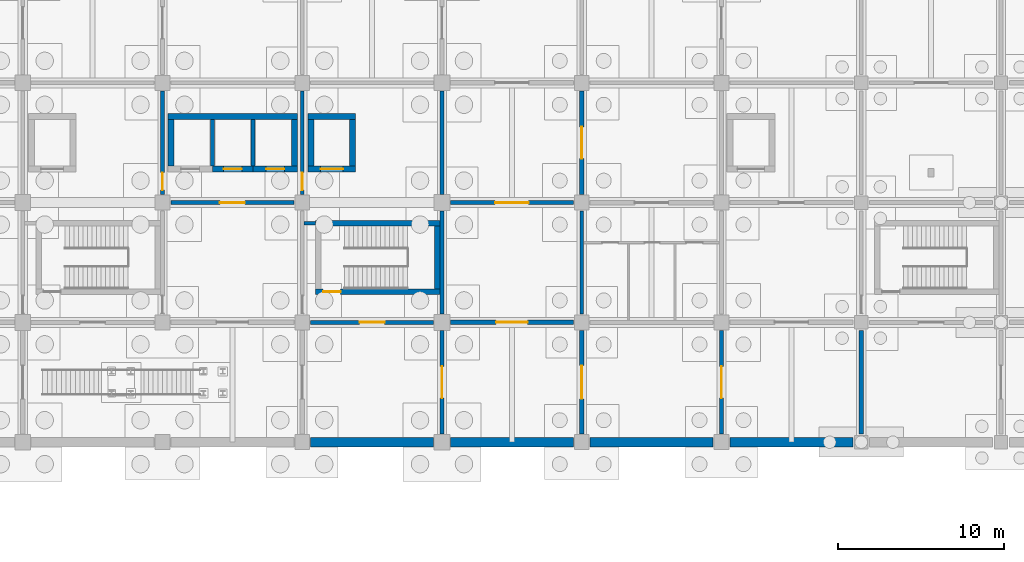
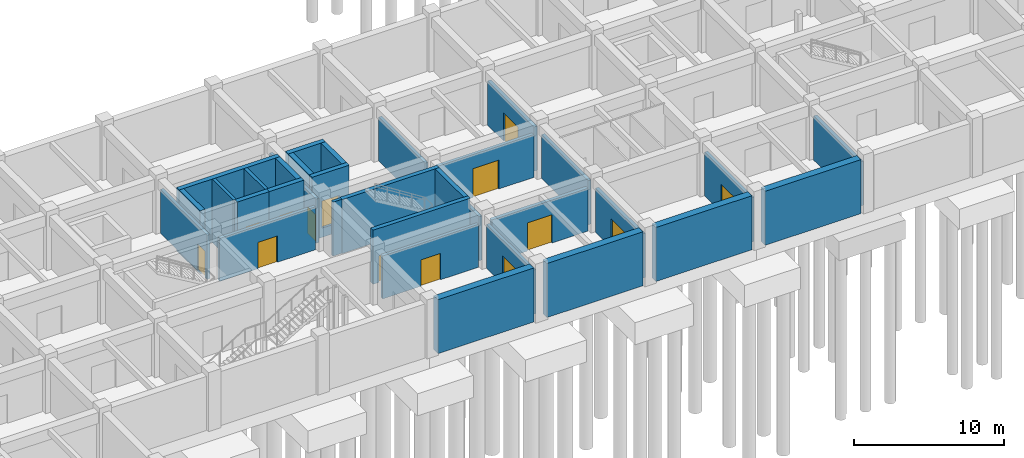
# One storey, part 29 of 38: 33 walls, 14 doors, 14 openings.
"""IFC4 building model written with IfcOpenShell, lengths in metres."""

from ifc_helpers import new_model, si_unit, derived_unit, direction, frame, frame_2d, origin, place, context, subcontext, project, spatial, rectangle, extrude, material, layer, layer_set, type_object, element, fill, save


model = new_model("IFC4")

# Units and contexts
model_context = context("Model", 3, precision=1e-05, world=origin(), true_north=direction((0.0, 1.0)))
body_context = subcontext(model_context, "Body", "Model", "MODEL_VIEW")
ifc_project = project(units=[si_unit("LENGTHUNIT", "METRE"), si_unit("AREAUNIT", "SQUARE_METRE"), si_unit("VOLUMEUNIT", "CUBIC_METRE"), si_unit("PLANEANGLEUNIT", "RADIAN"), si_unit("MASSUNIT", "GRAM", prefix="KILO"), derived_unit("THERMALTRANSMITTANCEUNIT", [(si_unit("MASSUNIT", "GRAM", prefix="KILO"), 1), (si_unit("TIMEUNIT", "SECOND"), -3), (si_unit("THERMODYNAMICTEMPERATUREUNIT", "KELVIN"), -1)])], contexts=[model_context])

# Site, building, storey
site_placement = place(None, origin())
site = spatial("IfcSite", under=ifc_project, at=site_placement, CompositionType="ELEMENT")
building_placement = place(site_placement, origin())
building = spatial("IfcBuilding", under=site, at=building_placement, Name="Veldstrom Oceanarium and Marine Research Institute", CompositionType="ELEMENT")
storey_placement = place(building_placement, frame((0.0, 0.0, -9.60009765625)))
storey = spatial("IfcBuildingStorey", under=building, at=storey_placement, Name="B02", CompositionType="ELEMENT", Elevation=-9.60009765625)

# Wall, opening, door
ifc_material_1 = material(Name="Masonry Fire Compartment Wall", Category="masonry")
ifc_layer_1 = layer(ifc_material_1, 0.22998046875)
ifc_layer_set_1 = layer_set([ifc_layer_1], Name="ARC-WAL-PT1")
wall_type_1 = type_object("IfcWallType", Name="ARC-WAL-PT1", PredefinedType="PARTITIONING", material=ifc_layer_set_1)
wall_1_placement = place(storey_placement, frame((84.0, 58.10009765625, 0.0), z_axis=(0.0, 0.0, 1.0), x_axis=(0.0, 1.0, 0.0)))
wall_1 = element("IfcWall", 1, at=wall_1_placement, inside=storey, type_object=wall_type_1, Name="Interior Partition PT1 B02-0158", PredefinedType="PARTITIONING", context=body_context, shape_type="SweptSolid", body=[
    extrude(rectangle(XDim=6.199951171875, YDim=0.22998046875, at=frame_2d((3.10009765625, 0.0))), origin(), (0.0, 0.0, 1.0), 3.59521484375),
])
opening_1_placement = place(wall_1_placement, frame((0.25, 0.0, 0.0)))
opening_1 = element("IfcOpeningElement", 2, at=opening_1_placement, cuts=wall_1, Name="Opening D-B02-093", PredefinedType="OPENING", context=body_context, shape_type="SweptSolid", body=[
    extrude(rectangle(XDim=1.050048828125, YDim=2.14990234375, at=frame_2d((0.52490234375, 1.074951171875))), frame((0.0, 0.125, 0.0), z_axis=(0.0, -1.0, 0.0), x_axis=(1.0, 0.0, 0.0)), (0.0, 0.0, 1.0), 0.25),
])
ifc_material_2 = material(Name="Painted Steel Fire Door", Category="steel")
door_type_1 = type_object("IfcDoorType", Name="ARC-DOR-SD1", OperationType="SINGLE_SWING_LEFT", PredefinedType="DOOR", material=ifc_material_2)
door_1_placement = place(opening_1_placement, origin())
door_1 = element("IfcDoor", 3, at=door_1_placement, inside=storey, type_object=door_type_1, Name="Interior Door D-B02-093", OperationType="SINGLE_SWING_LEFT", OverallHeight=2.14990234375, OverallWidth=1.050048828125, PredefinedType="DOOR", context=body_context, shape_type="SweptSolid", body=[
    extrude(rectangle(XDim=1.050048828125, YDim=2.14990234375, at=frame_2d((0.52490234375, 1.074951171875))), frame((0.0, 0.02490234375, 0.0), z_axis=(0.0, -1.0, 0.0), x_axis=(1.0, 0.0, 0.0)), (0.0, 0.0, 1.0), 0.050048828125),
])
fill(opening_1, door_1)

wall_2_placement = place(storey_placement, frame((84.5, 57.60009765625, 0.0), z_axis=(0.0, 0.0, 1.0), x_axis=(1.0, 0.0, 0.0)))
wall_2 = element("IfcWall", 4, at=wall_2_placement, inside=storey, type_object=wall_type_1, Name="Interior Partition PT1 B02-0164", PredefinedType="PARTITIONING", context=body_context, shape_type="SweptSolid", body=[
    extrude(rectangle(XDim=7.39990234375, YDim=0.22998046875, at=frame_2d((3.699951171875, 0.0))), origin(), (0.0, 0.0, 1.0), 3.4951171875),
])
opening_2_placement = place(wall_2_placement, frame((2.949951171875, 0.0, 0.0)))
opening_2 = element("IfcOpeningElement", 5, at=opening_2_placement, cuts=wall_2, Name="Opening D-B02-098", PredefinedType="OPENING", context=body_context, shape_type="SweptSolid", body=[
    extrude(rectangle(XDim=1.5, YDim=2.14990234375, at=frame_2d((0.75, 1.074951171875))), frame((0.0, 0.125, 0.0), z_axis=(0.0, -1.0, 0.0), x_axis=(1.0, 0.0, 0.0)), (0.0, 0.0, 1.0), 0.25),
])
ifc_material_3 = material(Name="Painted Steel Lobby Fire Door", Category="steel")
door_type_2 = type_object("IfcDoorType", Name="ARC-DOR-SD2", OperationType="DOUBLE_DOOR_SINGLE_SWING", PredefinedType="DOOR", material=ifc_material_3)
door_2_placement = place(opening_2_placement, origin())
door_2 = element("IfcDoor", 6, at=door_2_placement, inside=storey, type_object=door_type_2, Name="Interior Door D-B02-098", OperationType="DOUBLE_DOOR_SINGLE_SWING", OverallHeight=2.14990234375, OverallWidth=1.5, PredefinedType="DOOR", context=body_context, shape_type="SweptSolid", body=[
    extrude(rectangle(XDim=1.5, YDim=2.14990234375, at=frame_2d((0.75, 1.074951171875))), frame((0.0, 0.02490234375, 0.0), z_axis=(0.0, -1.0, 0.0), x_axis=(1.0, 0.0, 0.0)), (0.0, 0.0, 1.0), 0.050048828125),
])
fill(opening_2, door_2)

wall_3_placement = place(storey_placement, frame((92.39990234375, 58.10009765625, 0.0), z_axis=(0.0, 0.0, 1.0), x_axis=(0.0, 1.0, 0.0)))
wall_3 = element("IfcWall", 7, at=wall_3_placement, inside=storey, type_object=wall_type_1, Name="Interior Partition PT1 B02-0165", PredefinedType="PARTITIONING", context=body_context, shape_type="SweptSolid", body=[
    extrude(rectangle(XDim=6.199951171875, YDim=0.22998046875, at=frame_2d((3.10009765625, 0.0))), origin(), (0.0, 0.0, 1.0), 3.59521484375),
])
opening_3_placement = place(wall_3_placement, frame((0.25, 0.0, 0.0)))
opening_3 = element("IfcOpeningElement", 8, at=opening_3_placement, cuts=wall_3, Name="Opening D-B02-099", PredefinedType="OPENING", context=body_context, shape_type="SweptSolid", body=[
    extrude(rectangle(XDim=1.050048828125, YDim=2.14990234375, at=frame_2d((0.52490234375, 1.074951171875))), frame((0.0, 0.125, 0.0), z_axis=(0.0, -1.0, 0.0), x_axis=(1.0, 0.0, 0.0)), (0.0, 0.0, 1.0), 0.25),
])
door_3_placement = place(opening_3_placement, frame((1.050048828125, 0.0, 0.0), z_axis=(0.0, 0.0, 1.0), x_axis=(-1.0, 0.0, 0.0)))
door_3 = element("IfcDoor", 9, at=door_3_placement, inside=storey, type_object=door_type_1, Name="Interior Door D-B02-099", OperationType="SINGLE_SWING_RIGHT", OverallHeight=2.14990234375, OverallWidth=1.050048828125, PredefinedType="DOOR", context=body_context, shape_type="SweptSolid", body=[
    extrude(rectangle(XDim=1.050048828125, YDim=2.14990234375, at=frame_2d((0.52490234375, 1.074951171875))), frame((0.0, 0.02490234375, 0.0), z_axis=(0.0, -1.0, 0.0), x_axis=(1.0, 0.0, 0.0)), (0.0, 0.0, 1.0), 0.050048828125),
])
fill(opening_3, door_3)

wall_4_placement = place(storey_placement, frame((100.800048828125, 43.699951171875, 0.0), z_axis=(0.0, 0.0, 1.0), x_axis=(0.0, 1.0, 0.0)))
wall_4 = element("IfcWall", 10, at=wall_4_placement, inside=storey, type_object=wall_type_1, Name="Interior Partition PT1 B02-0168", PredefinedType="PARTITIONING", context=body_context, shape_type="SweptSolid", body=[
    extrude(rectangle(XDim=6.199951171875, YDim=0.22998046875, at=frame_2d((3.10009765625, 0.0))), origin(), (0.0, 0.0, 1.0), 3.59521484375),
])
opening_4_placement = place(wall_4_placement, frame((2.14990234375, 0.0, 0.0)))
opening_4 = element("IfcOpeningElement", 11, at=opening_4_placement, cuts=wall_4, Name="Opening D-B02-100", PredefinedType="OPENING", context=body_context, shape_type="SweptSolid", body=[
    extrude(rectangle(XDim=1.89990234375, YDim=2.300048828125, at=frame_2d((0.949951171875, 1.14990234375))), frame((0.0, 0.125, 0.0), z_axis=(0.0, -1.0, 0.0), x_axis=(1.0, 0.0, 0.0)), (0.0, 0.0, 1.0), 0.25),
])
ifc_material_4 = material(Name="Plant Hall Equipment Door", Category="steel")
door_type_3 = type_object("IfcDoorType", Name="ARC-DOR-ID12", OperationType="DOUBLE_DOOR_SINGLE_SWING", PredefinedType="DOOR", material=ifc_material_4)
door_4_placement = place(opening_4_placement, origin())
door_4 = element("IfcDoor", 12, at=door_4_placement, inside=storey, type_object=door_type_3, Name="Interior Door D-B02-100", OperationType="DOUBLE_DOOR_SINGLE_SWING", OverallHeight=2.300048828125, OverallWidth=1.89990234375, PredefinedType="DOOR", context=body_context, shape_type="SweptSolid", body=[
    extrude(rectangle(XDim=1.89990234375, YDim=2.300048828125, at=frame_2d((0.949951171875, 1.14990234375))), frame((0.0, 0.02490234375, 0.0), z_axis=(0.0, -1.0, 0.0), x_axis=(1.0, 0.0, 0.0)), (0.0, 0.0, 1.0), 0.050048828125),
])
fill(opening_4, door_4)

wall_5_placement = place(storey_placement, frame((92.89990234375, 50.39990234375, 0.0), z_axis=(0.0, 0.0, 1.0), x_axis=(1.0, 0.0, 0.0)))
wall_5 = element("IfcWall", 13, at=wall_5_placement, inside=storey, type_object=wall_type_1, Name="Interior Partition PT1 B02-0169", PredefinedType="PARTITIONING", context=body_context, shape_type="SweptSolid", body=[
    extrude(rectangle(XDim=7.400146484375, YDim=0.22998046875, at=frame_2d((3.7001953125, 0.0))), origin(), (0.0, 0.0, 1.0), 3.4951171875),
])
opening_5_placement = place(wall_5_placement, frame((2.949951171875, 0.0, 0.0)))
opening_5 = element("IfcOpeningElement", 14, at=opening_5_placement, cuts=wall_5, Name="Opening D-B02-101", PredefinedType="OPENING", context=body_context, shape_type="SweptSolid", body=[
    extrude(rectangle(XDim=1.5, YDim=2.14990234375, at=frame_2d((0.75, 1.074951171875))), frame((0.0, 0.125, 0.0), z_axis=(0.0, -1.0, 0.0), x_axis=(1.0, 0.0, 0.0)), (0.0, 0.0, 1.0), 0.25),
])
door_5_placement = place(opening_5_placement, frame((1.5, 0.0, 0.0), z_axis=(0.0, 0.0, 1.0), x_axis=(-1.0, 0.0, 0.0)))
door_5 = element("IfcDoor", 15, at=door_5_placement, inside=storey, type_object=door_type_2, Name="Interior Door D-B02-101", OperationType="DOUBLE_DOOR_SINGLE_SWING", OverallHeight=2.14990234375, OverallWidth=1.5, PredefinedType="DOOR", context=body_context, shape_type="SweptSolid", body=[
    extrude(rectangle(XDim=1.5, YDim=2.14990234375, at=frame_2d((0.75, 1.074951171875))), frame((0.0, 0.02490234375, 0.0), z_axis=(0.0, -1.0, 0.0), x_axis=(1.0, 0.0, 0.0)), (0.0, 0.0, 1.0), 0.050048828125),
])
fill(opening_5, door_5)

# Walls
wall_6_placement = place(storey_placement, frame((100.800048828125, 50.89990234375, 0.0), z_axis=(0.0, 0.0, 1.0), x_axis=(0.0, 1.0, 0.0)))
element("IfcWall", 16, at=wall_6_placement, inside=storey, type_object=wall_type_1, Name="Interior Partition PT1 B02-0170", PredefinedType="PARTITIONING", context=body_context, shape_type="SweptSolid", body=[
    extrude(rectangle(XDim=6.2001953125, YDim=0.22998046875, at=frame_2d((3.10009765625, 0.0))), origin(), (0.0, 0.0, 1.0), 3.59521484375),
])
wall_7_placement = place(storey_placement, frame((92.52001953125, 56.360107421875, 0.0), z_axis=(0.0, 0.0, 1.0), x_axis=(1.0, 0.0, 0.0)))
element("IfcWall", 17, at=wall_7_placement, inside=storey, type_object=wall_type_1, Name="Interior Partition PT1 B02-0171", PredefinedType="PARTITIONING", context=body_context, shape_type="SweptSolid", body=[
    extrude(rectangle(XDim=0.679931640625, YDim=0.22998046875, at=frame_2d((0.33984375, 0.0))), origin(), (0.0, 0.0, 1.0), 4.400146484375),
])
wall_8_placement = place(storey_placement, frame((100.800048828125, 58.10009765625, 0.0), z_axis=(0.0, 0.0, 1.0), x_axis=(0.0, 1.0, 0.0)))
element("IfcWall", 18, at=wall_8_placement, inside=storey, type_object=wall_type_1, Name="Interior Partition PT1 B02-0172", PredefinedType="PARTITIONING", context=body_context, shape_type="SweptSolid", body=[
    extrude(rectangle(XDim=6.199951171875, YDim=0.22998046875, at=frame_2d((3.10009765625, 0.0))), origin(), (0.0, 0.0, 1.0), 3.59521484375),
])
wall_9_placement = place(storey_placement, frame((109.199951171875, 50.89990234375, 0.0), z_axis=(0.0, 0.0, 1.0), x_axis=(0.0, 1.0, 0.0)))
element("IfcWall", 19, at=wall_9_placement, inside=storey, type_object=wall_type_1, Name="Interior Partition PT1 B02-0177", PredefinedType="PARTITIONING", context=body_context, shape_type="SweptSolid", body=[
    extrude(rectangle(XDim=6.2001953125, YDim=0.22998046875, at=frame_2d((3.10009765625, 0.0))), origin(), (0.0, 0.0, 1.0), 3.59521484375),
])

# Wall, opening, door
wall_10_placement = place(storey_placement, frame((101.300048828125, 57.60009765625, 0.0), z_axis=(0.0, 0.0, 1.0), x_axis=(1.0, 0.0, 0.0)))
wall_10 = element("IfcWall", 20, at=wall_10_placement, inside=storey, type_object=wall_type_1, Name="Interior Partition PT1 B02-0178", PredefinedType="PARTITIONING", context=body_context, shape_type="SweptSolid", body=[
    extrude(rectangle(XDim=7.39990234375, YDim=0.22998046875, at=frame_2d((3.699951171875, 0.0))), origin(), (0.0, 0.0, 1.0), 3.4951171875),
])
opening_6_placement = place(wall_10_placement, frame((2.699951171875, 0.0, 0.0)))
opening_6 = element("IfcOpeningElement", 21, at=opening_6_placement, cuts=wall_10, Name="Opening D-B02-105", PredefinedType="OPENING", context=body_context, shape_type="SweptSolid", body=[
    extrude(rectangle(XDim=2.0, YDim=2.35009765625, at=frame_2d((1.0, 1.175048828125))), frame((0.0, 0.125, 0.0), z_axis=(0.0, -1.0, 0.0), x_axis=(1.0, 0.0, 0.0)), (0.0, 0.0, 1.0), 0.25),
])
ifc_material_5 = material(Name="Filtration Hall Double Door", Category="steel")
door_type_4 = type_object("IfcDoorType", Name="ARC-DOR-ID18", OperationType="DOUBLE_DOOR_SINGLE_SWING", PredefinedType="DOOR", material=ifc_material_5)
door_6_placement = place(opening_6_placement, frame((2.0, 0.0, 0.0), z_axis=(0.0, 0.0, 1.0), x_axis=(-1.0, 0.0, 0.0)))
door_6 = element("IfcDoor", 22, at=door_6_placement, inside=storey, type_object=door_type_4, Name="Interior Door D-B02-105", OperationType="DOUBLE_DOOR_SINGLE_SWING", OverallHeight=2.35009765625, OverallWidth=2.0, PredefinedType="DOOR", context=body_context, shape_type="SweptSolid", body=[
    extrude(rectangle(XDim=2.0, YDim=2.35009765625, at=frame_2d((1.0, 1.175048828125))), frame((0.0, 0.02490234375, 0.0), z_axis=(0.0, -1.0, 0.0), x_axis=(1.0, 0.0, 0.0)), (0.0, 0.0, 1.0), 0.050048828125),
])
fill(opening_6, door_6)

wall_11_placement = place(storey_placement, frame((117.60009765625, 43.699951171875, 0.0), z_axis=(0.0, 0.0, 1.0), x_axis=(0.0, 1.0, 0.0)))
wall_11 = element("IfcWall", 23, at=wall_11_placement, inside=storey, type_object=wall_type_1, Name="Interior Partition PT1 B02-0182", PredefinedType="PARTITIONING", context=body_context, shape_type="SweptSolid", body=[
    extrude(rectangle(XDim=6.199951171875, YDim=0.22998046875, at=frame_2d((3.10009765625, 0.0))), origin(), (0.0, 0.0, 1.0), 3.59521484375),
])
opening_7_placement = place(wall_11_placement, frame((2.14990234375, 0.0, 0.0)))
opening_7 = element("IfcOpeningElement", 24, at=opening_7_placement, cuts=wall_11, Name="Opening D-B02-108", PredefinedType="OPENING", context=body_context, shape_type="SweptSolid", body=[
    extrude(rectangle(XDim=1.89990234375, YDim=2.300048828125, at=frame_2d((0.949951171875, 1.14990234375))), frame((0.0, 0.125, 0.0), z_axis=(0.0, -1.0, 0.0), x_axis=(1.0, 0.0, 0.0)), (0.0, 0.0, 1.0), 0.25),
])
door_7_placement = place(opening_7_placement, origin())
door_7 = element("IfcDoor", 25, at=door_7_placement, inside=storey, type_object=door_type_3, Name="Interior Door D-B02-108", OperationType="DOUBLE_DOOR_SINGLE_SWING", OverallHeight=2.300048828125, OverallWidth=1.89990234375, PredefinedType="DOOR", context=body_context, shape_type="SweptSolid", body=[
    extrude(rectangle(XDim=1.89990234375, YDim=2.300048828125, at=frame_2d((0.949951171875, 1.14990234375))), frame((0.0, 0.02490234375, 0.0), z_axis=(0.0, -1.0, 0.0), x_axis=(1.0, 0.0, 0.0)), (0.0, 0.0, 1.0), 0.050048828125),
])
fill(opening_7, door_7)

ifc_material_6 = material(Name="Plant Acoustic Masonry Wall", Category="masonry")
ifc_layer_2 = layer(ifc_material_6, 0.260009765625)
ifc_layer_set_2 = layer_set([ifc_layer_2], Name="ARC-WAL-PT8")
wall_type_2 = type_object("IfcWallType", Name="ARC-WAL-PT8", PredefinedType="PARTITIONING", material=ifc_layer_set_2)
wall_12_placement = place(storey_placement, frame((109.199951171875, 43.699951171875, 0.0), z_axis=(0.0, 0.0, 1.0), x_axis=(0.0, 1.0, 0.0)))
wall_12 = element("IfcWall", 26, at=wall_12_placement, inside=storey, type_object=wall_type_2, Name="Interior Partition PT8 B02-0175", PredefinedType="PARTITIONING", context=body_context, shape_type="SweptSolid", body=[
    extrude(rectangle(XDim=6.199951171875, YDim=0.260009765625, at=frame_2d((3.10009765625, 0.0))), origin(), (0.0, 0.0, 1.0), 3.59521484375),
])
opening_8_placement = place(wall_12_placement, frame((2.10009765625, 0.0, 0.0)))
opening_8 = element("IfcOpeningElement", 27, at=opening_8_placement, cuts=wall_12, Name="Opening D-B02-103", PredefinedType="OPENING", context=body_context, shape_type="SweptSolid", body=[
    extrude(rectangle(XDim=2.0, YDim=2.35009765625, at=frame_2d((1.0, 1.175048828125))), frame((0.0, 0.139892578125, 0.0), z_axis=(0.0, -1.0, 0.0), x_axis=(1.0, 0.0, 0.0)), (0.0, 0.0, 1.0), 0.280029296875),
])
door_8_placement = place(opening_8_placement, frame((2.0, 0.0, 0.0), z_axis=(0.0, 0.0, 1.0), x_axis=(-1.0, 0.0, 0.0)))
door_8 = element("IfcDoor", 28, at=door_8_placement, inside=storey, type_object=door_type_4, Name="Interior Door D-B02-103", OperationType="DOUBLE_DOOR_SINGLE_SWING", OverallHeight=2.35009765625, OverallWidth=2.0, PredefinedType="DOOR", context=body_context, shape_type="SweptSolid", body=[
    extrude(rectangle(XDim=2.0, YDim=2.35009765625, at=frame_2d((1.0, 1.175048828125))), frame((0.0, 0.02490234375, 0.0), z_axis=(0.0, -1.0, 0.0), x_axis=(1.0, 0.0, 0.0)), (0.0, 0.0, 1.0), 0.050048828125),
])
fill(opening_8, door_8)

wall_13_placement = place(storey_placement, frame((101.300048828125, 50.39990234375, 0.0), z_axis=(0.0, 0.0, 1.0), x_axis=(1.0, 0.0, 0.0)))
wall_13 = element("IfcWall", 29, at=wall_13_placement, inside=storey, type_object=wall_type_2, Name="Interior Partition PT8 B02-0176", PredefinedType="PARTITIONING", context=body_context, shape_type="SweptSolid", body=[
    extrude(rectangle(XDim=7.39990234375, YDim=0.260009765625, at=frame_2d((3.699951171875, 0.0))), origin(), (0.0, 0.0, 1.0), 3.4951171875),
])
opening_9_placement = place(wall_13_placement, frame((2.75, 0.0, 0.0)))
opening_9 = element("IfcOpeningElement", 30, at=opening_9_placement, cuts=wall_13, Name="Opening D-B02-104", PredefinedType="OPENING", context=body_context, shape_type="SweptSolid", body=[
    extrude(rectangle(XDim=1.89990234375, YDim=2.300048828125, at=frame_2d((0.949951171875, 1.14990234375))), frame((0.0, 0.139892578125, 0.0), z_axis=(0.0, -1.0, 0.0), x_axis=(1.0, 0.0, 0.0)), (0.0, 0.0, 1.0), 0.280029296875),
])
door_9_placement = place(opening_9_placement, origin())
door_9 = element("IfcDoor", 31, at=door_9_placement, inside=storey, type_object=door_type_3, Name="Interior Door D-B02-104", OperationType="DOUBLE_DOOR_SINGLE_SWING", OverallHeight=2.300048828125, OverallWidth=1.89990234375, PredefinedType="DOOR", context=body_context, shape_type="SweptSolid", body=[
    extrude(rectangle(XDim=1.89990234375, YDim=2.300048828125, at=frame_2d((0.949951171875, 1.14990234375))), frame((0.0, 0.02490234375, 0.0), z_axis=(0.0, -1.0, 0.0), x_axis=(1.0, 0.0, 0.0)), (0.0, 0.0, 1.0), 0.050048828125),
])
fill(opening_9, door_9)

wall_14_placement = place(storey_placement, frame((109.199951171875, 58.10009765625, 0.0), z_axis=(0.0, 0.0, 1.0), x_axis=(0.0, 1.0, 0.0)))
wall_14 = element("IfcWall", 32, at=wall_14_placement, inside=storey, type_object=wall_type_2, Name="Interior Partition PT8 B02-0179", PredefinedType="PARTITIONING", context=body_context, shape_type="SweptSolid", body=[
    extrude(rectangle(XDim=6.199951171875, YDim=0.260009765625, at=frame_2d((3.10009765625, 0.0))), origin(), (0.0, 0.0, 1.0), 3.59521484375),
])
opening_10_placement = place(wall_14_placement, frame((2.14990234375, 0.0, 0.0)))
opening_10 = element("IfcOpeningElement", 33, at=opening_10_placement, cuts=wall_14, Name="Opening D-B02-106", PredefinedType="OPENING", context=body_context, shape_type="SweptSolid", body=[
    extrude(rectangle(XDim=1.89990234375, YDim=2.300048828125, at=frame_2d((0.949951171875, 1.14990234375))), frame((0.0, 0.139892578125, 0.0), z_axis=(0.0, -1.0, 0.0), x_axis=(1.0, 0.0, 0.0)), (0.0, 0.0, 1.0), 0.280029296875),
])
door_10_placement = place(opening_10_placement, frame((1.89990234375, 0.0, 0.0), z_axis=(0.0, 0.0, 1.0), x_axis=(-1.0, 0.0, 0.0)))
door_10 = element("IfcDoor", 34, at=door_10_placement, inside=storey, type_object=door_type_3, Name="Interior Door D-B02-106", OperationType="DOUBLE_DOOR_SINGLE_SWING", OverallHeight=2.300048828125, OverallWidth=1.89990234375, PredefinedType="DOOR", context=body_context, shape_type="SweptSolid", body=[
    extrude(rectangle(XDim=1.89990234375, YDim=2.300048828125, at=frame_2d((0.949951171875, 1.14990234375))), frame((0.0, 0.02490234375, 0.0), z_axis=(0.0, -1.0, 0.0), x_axis=(1.0, 0.0, 0.0)), (0.0, 0.0, 1.0), 0.050048828125),
])
fill(opening_10, door_10)

# Walls
wall_15_placement = place(storey_placement, frame((126.0, 43.699951171875, 0.0), z_axis=(0.0, 0.0, 1.0), x_axis=(0.0, 1.0, 0.0)))
element("IfcWall", 35, at=wall_15_placement, inside=storey, type_object=wall_type_2, Name="Interior Partition PT8 B02-0189", PredefinedType="PARTITIONING", context=body_context, shape_type="SweptSolid", body=[
    extrude(rectangle(XDim=6.199951171875, YDim=0.260009765625, at=frame_2d((3.10009765625, 0.0))), origin(), (0.0, 0.0, 1.0), 3.59521484375),
])
ifc_material_7 = material(Name="Concrete C40/50", Category="concrete")
ifc_layer_3 = layer(ifc_material_7, 0.360107421875)
ifc_layer_set_3 = layer_set([ifc_layer_3], Name="STR-WAL-WC2")
wall_type_3 = type_object("IfcWallType", Name="STR-WAL-WC2", PredefinedType="SHEAR", material=ifc_layer_set_3)
wall_16_placement = place(storey_placement, frame((84.340087890625, 62.780029296875, -0.75), z_axis=(0.0, 0.0, 1.0), x_axis=(1.0, 0.0, 0.0)))
element("IfcWall", 36, at=wall_16_placement, inside=storey, type_object=wall_type_3, Name="Lift Shaft Shear Wall N B02 10/8", PredefinedType="SHEAR", context=body_context, shape_type="SweptSolid", body=[
    extrude(rectangle(XDim=7.77001953125, YDim=0.360107421875, at=frame_2d((3.885009765625, 0.0))), origin(), (0.0, 0.0, 1.0), 5.150146484375),
])

# Wall, opening, door
wall_17_placement = place(storey_placement, frame((87.0, 59.6201171875, -0.75), z_axis=(0.0, 0.0, 1.0), x_axis=(1.0, 0.0, 0.0)))
wall_17 = element("IfcWall", 37, at=wall_17_placement, inside=storey, type_object=wall_type_3, Name="Lift Shaft Front Shear Wall LP2 B02", PredefinedType="SHEAR", context=body_context, shape_type="SweptSolid", body=[
    extrude(rectangle(XDim=2.449951171875, YDim=0.360107421875, at=frame_2d((1.22509765625, 0.0))), origin(), (0.0, 0.0, 1.0), 5.150146484375),
])
opening_11_placement = place(wall_17_placement, frame((0.675048828125, 0.0, 0.75)))
opening_11 = element("IfcOpeningElement", 38, at=opening_11_placement, cuts=wall_17, Name="Opening LD-LP2-B02", PredefinedType="OPENING", context=body_context, shape_type="SweptSolid", body=[
    extrude(rectangle(XDim=1.10009765625, YDim=2.14990234375, at=frame_2d((0.550048828125, 1.074951171875))), frame((0.0, 0.18994140625, 0.0), z_axis=(0.0, -1.0, 0.0), x_axis=(1.0, 0.0, 0.0)), (0.0, 0.0, 1.0), 0.380126953125),
])
ifc_material_8 = material(Name="Stainless Steel Lift Landing Door", Category="steel")
door_type_5 = type_object("IfcDoorType", Name="ARC-DOR-LD1", OperationType="DOUBLE_DOOR_SLIDING", PredefinedType="DOOR", material=ifc_material_8)
door_11_placement = place(opening_11_placement, origin())
door_11 = element("IfcDoor", 39, at=door_11_placement, inside=storey, type_object=door_type_5, Name="Lift Landing Door LD-LP2-B02", OperationType="DOUBLE_DOOR_SLIDING", OverallHeight=2.14990234375, OverallWidth=1.10009765625, PredefinedType="DOOR", context=body_context, shape_type="SweptSolid", body=[
    extrude(rectangle(XDim=1.10009765625, YDim=2.14990234375, at=frame_2d((0.550048828125, 1.074951171875))), frame((0.0, 0.02490234375, 0.0), z_axis=(0.0, -1.0, 0.0), x_axis=(1.0, 0.0, 0.0)), (0.0, 0.0, 1.0), 0.050048828125),
])
fill(opening_11, door_11)

wall_18_placement = place(storey_placement, frame((89.449951171875, 59.6201171875, -0.75), z_axis=(0.0, 0.0, 1.0), x_axis=(1.0, 0.0, 0.0)))
wall_18 = element("IfcWall", 40, at=wall_18_placement, inside=storey, type_object=wall_type_3, Name="Lift Shaft Front Shear Wall LP3 B02", PredefinedType="SHEAR", context=body_context, shape_type="SweptSolid", body=[
    extrude(rectangle(XDim=2.66015625, YDim=0.360107421875, at=frame_2d((1.330078125, 0.0))), origin(), (0.0, 0.0, 1.0), 5.150146484375),
])
opening_12_placement = place(wall_18_placement, frame((0.780029296875, 0.0, 0.75)))
opening_12 = element("IfcOpeningElement", 41, at=opening_12_placement, cuts=wall_18, Name="Opening LD-LP3-B02", PredefinedType="OPENING", context=body_context, shape_type="SweptSolid", body=[
    extrude(rectangle(XDim=1.10009765625, YDim=2.14990234375, at=frame_2d((0.550048828125, 1.074951171875))), frame((0.0, 0.18994140625, 0.0), z_axis=(0.0, -1.0, 0.0), x_axis=(1.0, 0.0, 0.0)), (0.0, 0.0, 1.0), 0.380126953125),
])
door_12_placement = place(opening_12_placement, origin())
door_12 = element("IfcDoor", 42, at=door_12_placement, inside=storey, type_object=door_type_5, Name="Lift Landing Door LD-LP3-B02", OperationType="DOUBLE_DOOR_SLIDING", OverallHeight=2.14990234375, OverallWidth=1.10009765625, PredefinedType="DOOR", context=body_context, shape_type="SweptSolid", body=[
    extrude(rectangle(XDim=1.10009765625, YDim=2.14990234375, at=frame_2d((0.550048828125, 1.074951171875))), frame((0.0, 0.02490234375, 0.0), z_axis=(0.0, -1.0, 0.0), x_axis=(1.0, 0.0, 0.0)), (0.0, 0.0, 1.0), 0.050048828125),
])
fill(opening_12, door_12)

# Walls
for number, where, z_axis, x_axis, name in (
    (43, (84.52001953125, 59.800048828125, -0.75), (0.0, 0.0, 1.0), (0.0, 1.0, 0.0), "Lift Shaft Shear Wall W B02 10/8"),
    (44, (91.929931640625, 59.800048828125, -0.75), (0.0, 0.0, 1.0), (0.0, 1.0, 0.0), "Lift Shaft Shear Wall E B02 10/8"),
):
    element("IfcWall", number, at=place(storey_placement, frame(where, z_axis=z_axis, x_axis=x_axis)), inside=storey, type_object=wall_type_3, Name=name, PredefinedType="SHEAR", context=body_context, shape_type="SweptSolid", body=[
        extrude(rectangle(XDim=2.800048828125, YDim=0.360107421875, at=frame_2d((1.39990234375, 0.0))), origin(), (0.0, 0.0, 1.0), 5.150146484375),
    ])
wall_19_placement = place(storey_placement, frame((92.739990234375, 62.780029296875, -0.75), z_axis=(0.0, 0.0, 1.0), x_axis=(1.0, 0.0, 0.0)))
element("IfcWall", 45, at=wall_19_placement, inside=storey, type_object=wall_type_3, Name="Lift Shaft Shear Wall N B02 11/8", PredefinedType="SHEAR", context=body_context, shape_type="SweptSolid", body=[
    extrude(rectangle(XDim=2.8701171875, YDim=0.360107421875, at=frame_2d((1.43505859375, 0.0))), origin(), (0.0, 0.0, 1.0), 5.150146484375),
])

# Wall, opening, door
wall_20_placement = place(storey_placement, frame((92.739990234375, 59.6201171875, -0.75), z_axis=(0.0, 0.0, 1.0), x_axis=(1.0, 0.0, 0.0)))
wall_20 = element("IfcWall", 46, at=wall_20_placement, inside=storey, type_object=wall_type_3, Name="Lift Shaft Front Shear Wall LF2 B02", PredefinedType="SHEAR", context=body_context, shape_type="SweptSolid", body=[
    extrude(rectangle(XDim=2.8701171875, YDim=0.360107421875, at=frame_2d((1.43505859375, 0.0))), origin(), (0.0, 0.0, 1.0), 5.150146484375),
])
opening_13_placement = place(wall_20_placement, frame((0.760009765625, 0.0, 0.75)))
opening_13 = element("IfcOpeningElement", 47, at=opening_13_placement, cuts=wall_20, Name="Opening LD-LF2-B02", PredefinedType="OPENING", context=body_context, shape_type="SweptSolid", body=[
    extrude(rectangle(XDim=1.35009765625, YDim=2.199951171875, at=frame_2d((0.675048828125, 1.10009765625))), frame((0.0, 0.18994140625, 0.0), z_axis=(0.0, -1.0, 0.0), x_axis=(1.0, 0.0, 0.0)), (0.0, 0.0, 1.0), 0.380126953125),
])
ifc_material_9 = material(Name="Stainless Steel Lift Landing Door", Category="steel")
door_type_6 = type_object("IfcDoorType", Name="ARC-DOR-LD3", OperationType="DOUBLE_DOOR_SLIDING", PredefinedType="DOOR", material=ifc_material_9)
door_13_placement = place(opening_13_placement, origin())
door_13 = element("IfcDoor", 48, at=door_13_placement, inside=storey, type_object=door_type_6, Name="Lift Landing Door LD-LF2-B02", OperationType="DOUBLE_DOOR_SLIDING", OverallHeight=2.199951171875, OverallWidth=1.35009765625, PredefinedType="DOOR", context=body_context, shape_type="SweptSolid", body=[
    extrude(rectangle(XDim=1.35009765625, YDim=2.199951171875, at=frame_2d((0.675048828125, 1.10009765625))), frame((0.0, 0.02490234375, 0.0), z_axis=(0.0, -1.0, 0.0), x_axis=(1.0, 0.0, 0.0)), (0.0, 0.0, 1.0), 0.050048828125),
])
fill(opening_13, door_13)

# Walls
for number, where, z_axis, x_axis, name in (
    (49, (92.919921875, 59.800048828125, -0.75), (0.0, 0.0, 1.0), (0.0, 1.0, 0.0), "Lift Shaft Shear Wall W B02 11/8"),
    (50, (95.429931640625, 59.800048828125, -0.75), (0.0, 0.0, 1.0), (0.0, 1.0, 0.0), "Lift Shaft Shear Wall E B02 11/8"),
):
    element("IfcWall", number, at=place(storey_placement, frame(where, z_axis=z_axis, x_axis=x_axis)), inside=storey, type_object=wall_type_3, Name=name, PredefinedType="SHEAR", context=body_context, shape_type="SweptSolid", body=[
        extrude(rectangle(XDim=2.800048828125, YDim=0.360107421875, at=frame_2d((1.39990234375, 0.0))), origin(), (0.0, 0.0, 1.0), 5.150146484375),
    ])

# Wall, opening, door
ifc_material_10 = material(Name="Concrete C40/50", Category="concrete")
ifc_layer_4 = layer(ifc_material_10, 0.320068359375)
ifc_layer_set_4 = layer_set([ifc_layer_4], Name="STR-WAL-WC3")
wall_type_4 = type_object("IfcWallType", Name="STR-WAL-WC3", PredefinedType="SHEAR", material=ifc_layer_set_4)
wall_21_placement = place(storey_placement, frame((93.199951171875, 52.239990234375, 0.0), z_axis=(0.0, 0.0, 1.0), x_axis=(1.0, 0.0, 0.0)))
wall_21 = element("IfcWall", 51, at=wall_21_placement, inside=storey, type_object=wall_type_4, Name="Stair Core Shear Wall SC2-B02-S", PredefinedType="SHEAR", context=body_context, shape_type="SweptSolid", body=[
    extrude(rectangle(XDim=7.47998046875, YDim=0.320068359375, at=frame_2d((3.739990234375, 0.0))), origin(), (0.0, 0.0, 1.0), 4.400146484375),
])
opening_14_placement = place(wall_21_placement, frame((0.449951171875, 0.0, 0.0)))
opening_14 = element("IfcOpeningElement", 52, at=opening_14_placement, cuts=wall_21, Name="Opening D-ST2-B02", PredefinedType="OPENING", context=body_context, shape_type="SweptSolid", body=[
    extrude(rectangle(XDim=1.050048828125, YDim=2.14990234375, at=frame_2d((0.52490234375, 1.074951171875))), frame((0.0, 0.169921875, 0.0), z_axis=(0.0, -1.0, 0.0), x_axis=(1.0, 0.0, 0.0)), (0.0, 0.0, 1.0), 0.340087890625),
])
door_14_placement = place(opening_14_placement, origin())
door_14 = element("IfcDoor", 53, at=door_14_placement, inside=storey, type_object=door_type_1, Name="Escape Stair Fire Door D-ST2-B02", OperationType="SINGLE_SWING_LEFT", OverallHeight=2.14990234375, OverallWidth=1.050048828125, PredefinedType="DOOR", context=body_context, shape_type="SweptSolid", body=[
    extrude(rectangle(XDim=1.050048828125, YDim=2.14990234375, at=frame_2d((0.52490234375, 1.074951171875))), frame((0.0, 0.02490234375, 0.0), z_axis=(0.0, -1.0, 0.0), x_axis=(1.0, 0.0, 0.0)), (0.0, 0.0, 1.0), 0.050048828125),
])
fill(opening_14, door_14)

# Walls
wall_22_placement = place(storey_placement, frame((93.199951171875, 56.360107421875, 0.0), z_axis=(0.0, 0.0, 1.0), x_axis=(1.0, 0.0, 0.0)))
element("IfcWall", 54, at=wall_22_placement, inside=storey, type_object=wall_type_4, Name="Stair Core Shear Wall SC2-B02-N", PredefinedType="SHEAR", context=body_context, shape_type="SweptSolid", body=[
    extrude(rectangle(XDim=7.47998046875, YDim=0.320068359375, at=frame_2d((3.739990234375, 0.0))), origin(), (0.0, 0.0, 1.0), 4.400146484375),
])
wall_23_placement = place(storey_placement, frame((100.52001953125, 52.39990234375, 0.0), z_axis=(0.0, 0.0, 1.0), x_axis=(0.0, 1.0, 0.0)))
element("IfcWall", 55, at=wall_23_placement, inside=storey, type_object=wall_type_4, Name="Stair Core Shear Wall SC2-B02-E", PredefinedType="SHEAR", context=body_context, shape_type="SweptSolid", body=[
    extrude(rectangle(XDim=3.800048828125, YDim=0.320068359375, at=frame_2d((1.89990234375, 0.0))), origin(), (0.0, 0.0, 1.0), 4.400146484375),
])
ifc_material_11 = material(Name="Concrete C40/50", Category="concrete")
ifc_layer_5 = layer(ifc_material_11, 0.239990234375)
ifc_layer_set_5 = layer_set([ifc_layer_5], Name="STR-WAL-WC4")
wall_type_5 = type_object("IfcWallType", Name="STR-WAL-WC4", PredefinedType="SHEAR", material=ifc_layer_set_5)
for number, where, z_axis, x_axis, name in (
    (56, (87.0, 59.800048828125, -0.75), (0.0, 0.0, 1.0), (0.0, 1.0, 0.0), "Lift Shaft Divider Wall B02 10/8-1"),
    (57, (89.449951171875, 59.800048828125, -0.75), (0.0, 0.0, 1.0), (0.0, 1.0, 0.0), "Lift Shaft Divider Wall B02 10/8-2"),
):
    element("IfcWall", number, at=place(storey_placement, frame(where, z_axis=z_axis, x_axis=x_axis)), inside=storey, type_object=wall_type_5, Name=name, PredefinedType="SHEAR", context=body_context, shape_type="SweptSolid", body=[
        extrude(rectangle(XDim=2.800048828125, YDim=0.239990234375, at=frame_2d((1.39990234375, 0.0))), origin(), (0.0, 0.0, 1.0), 5.150146484375),
    ])
ifc_material_12 = material(Name="Concrete C40/50", Category="concrete")
ifc_layer_6 = layer(ifc_material_12, 0.550048828125)
ifc_layer_set_6 = layer_set([ifc_layer_6], Name="STR-WAL-WR1")
wall_type_6 = type_object("IfcWallType", Name="STR-WAL-WR1", PredefinedType="USERDEFINED", material=ifc_layer_set_6)
wall_24_placement = place(storey_placement, frame((92.89990234375, 43.199951171875, 0.0), z_axis=(0.0, 0.0, 1.0), x_axis=(1.0, 0.0, 0.0)))
element("IfcWall", 58, at=wall_24_placement, inside=storey, type_object=wall_type_6, Name="Basement Retaining Wall WR1-B02-039", ObjectType="Retaining wall", PredefinedType="USERDEFINED", context=body_context, shape_type="SweptSolid", body=[
    extrude(rectangle(XDim=7.400146484375, YDim=0.550048828125, at=frame_2d((3.7001953125, 0.0))), origin(), (0.0, 0.0, 1.0), 4.400146484375),
])
wall_25_placement = place(storey_placement, frame((101.300048828125, 43.199951171875, 0.0), z_axis=(0.0, 0.0, 1.0), x_axis=(1.0, 0.0, 0.0)))
element("IfcWall", 59, at=wall_25_placement, inside=storey, type_object=wall_type_6, Name="Basement Retaining Wall WR1-B02-041", ObjectType="Retaining wall", PredefinedType="USERDEFINED", context=body_context, shape_type="SweptSolid", body=[
    extrude(rectangle(XDim=7.39990234375, YDim=0.550048828125, at=frame_2d((3.699951171875, 0.0))), origin(), (0.0, 0.0, 1.0), 4.400146484375),
])
wall_26_placement = place(storey_placement, frame((109.699951171875, 43.199951171875, 0.0), z_axis=(0.0, 0.0, 1.0), x_axis=(1.0, 0.0, 0.0)))
element("IfcWall", 60, at=wall_26_placement, inside=storey, type_object=wall_type_6, Name="Basement Retaining Wall WR1-B02-043", ObjectType="Retaining wall", PredefinedType="USERDEFINED", context=body_context, shape_type="SweptSolid", body=[
    extrude(rectangle(XDim=7.400146484375, YDim=0.550048828125, at=frame_2d((3.7001953125, 0.0))), origin(), (0.0, 0.0, 1.0), 4.400146484375),
])
wall_27_placement = place(storey_placement, frame((118.10009765625, 43.199951171875, 0.0), z_axis=(0.0, 0.0, 1.0), x_axis=(1.0, 0.0, 0.0)))
element("IfcWall", 61, at=wall_27_placement, inside=storey, type_object=wall_type_6, Name="Basement Retaining Wall WR1-B02-045", ObjectType="Retaining wall", PredefinedType="USERDEFINED", context=body_context, shape_type="SweptSolid", body=[
    extrude(rectangle(XDim=7.39990234375, YDim=0.550048828125, at=frame_2d((3.699951171875, 0.0))), origin(), (0.0, 0.0, 1.0), 4.400146484375),
])

save(model, "model.ifc")
